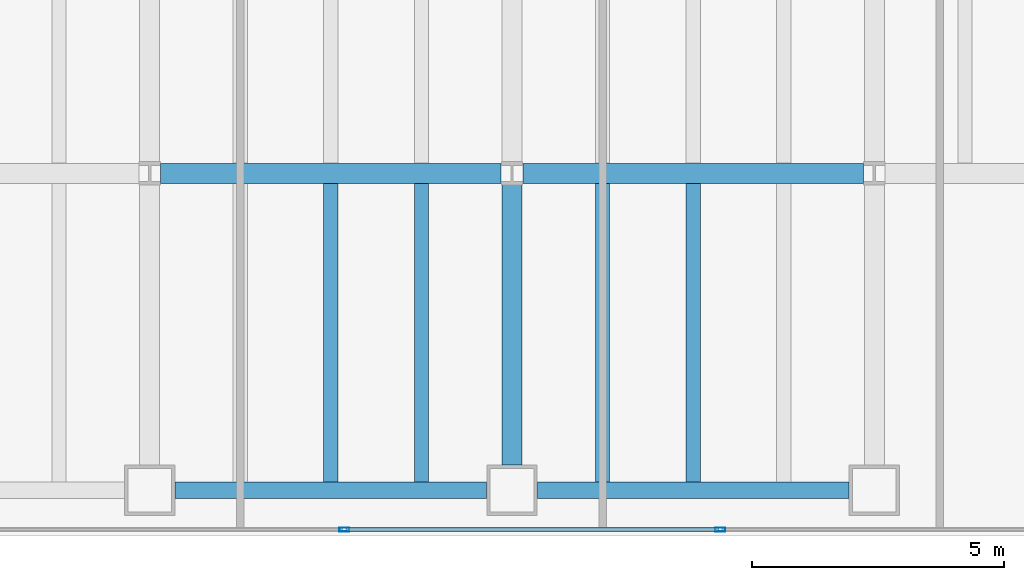
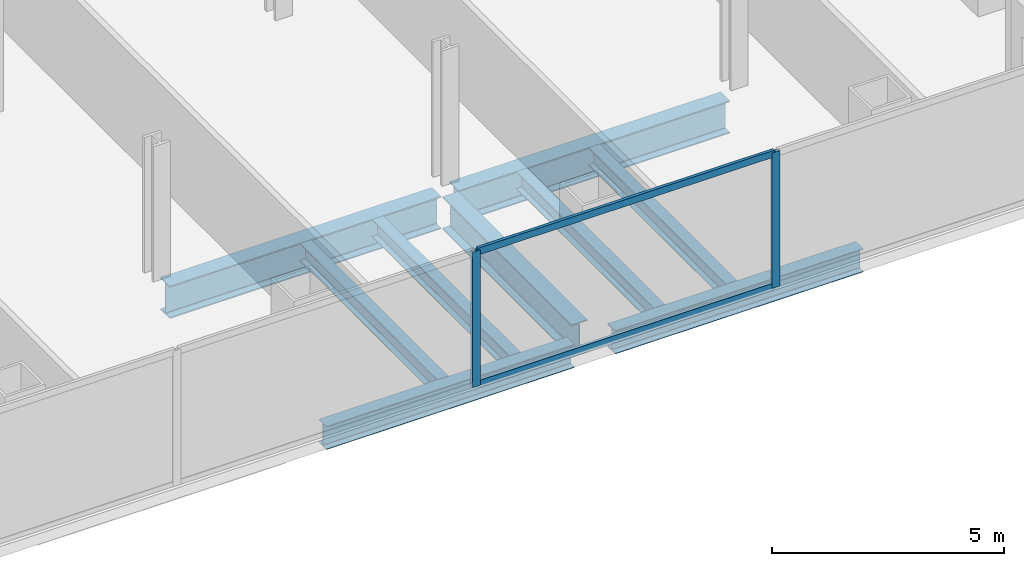
# One storey, part 7 of 23: 9 beams, 4 members, 1 element without a shape of its own.
"""IFC4 building model written with IfcOpenShell, lengths in metres."""

from ifc_helpers import new_model, si_unit, direction, frame, origin, origin_2d, place, context, subcontext, project, spatial, hollow_rectangle, i_section, extrude, material, material_profile, profile_set, type_object, element, aggregate, save


model = new_model("IFC4")

# Units and contexts
model_context = context("Model", 3, precision=1e-05, world=origin(), true_north=direction((0.0, 1.0)))
body_context = subcontext(model_context, "Body", "Model", "MODEL_VIEW")
ifc_project = project(units=[si_unit("LENGTHUNIT", "METRE"), si_unit("AREAUNIT", "SQUARE_METRE"), si_unit("VOLUMEUNIT", "CUBIC_METRE"), si_unit("PLANEANGLEUNIT", "RADIAN"), si_unit("MASSUNIT", "GRAM", prefix="KILO")], contexts=[model_context])

# Site, building, storey
site_placement = place(None, origin())
site = spatial("IfcSite", under=ifc_project, at=site_placement, CompositionType="ELEMENT")
building_placement = place(site_placement, origin())
building = spatial("IfcBuilding", under=site, at=building_placement, Name="Cobrela Telecom Tower", CompositionType="ELEMENT")
storey_placement = place(building_placement, frame((0.0, 0.0, 50.39990234375)))
storey = spatial("IfcBuildingStorey", under=building, at=storey_placement, Name="L12", CompositionType="ELEMENT", Elevation=50.39990234375)

# Beams
ifc_material_1 = material(Name="Steel ASTM A992 Grade 50", Category="steel")
ifc_material_profile_1 = material_profile(ifc_material_1, i_section(OverallWidth=0.39892578125, OverallDepth=0.85595703125, WebThickness=0.018310546875, FlangeThickness=0.029296875, FilletRadius=0.02001953125, at=origin_2d()), Name="W33X201")
ifc_profile_set_1 = profile_set([ifc_material_profile_1], Name="Steel ASTM A992 Grade 50")
beam_type_1 = type_object("IfcBeamType", Name="BM-GIRD-03", PredefinedType="USERDEFINED", material=ifc_profile_set_1)
for number, where, z_axis, x_axis, name in (
    (1, (29.01611328125, 7.199951171875, -0.7080078125), (1.0, 0.0, 0.0), (0.0, 1.0, 0.0), "L12 Primary Girder X10"),
    (2, (36.216064453125, 7.199951171875, -0.7080078125), (1.0, 0.0, 0.0), (0.0, 1.0, 0.0), "L12 Primary Girder X11"),
):
    element("IfcBeam", number, at=place(storey_placement, frame(where, z_axis=z_axis, x_axis=x_axis)), inside=storey, type_object=beam_type_1, Name=name, ObjectType="GIRDER", PredefinedType="USERDEFINED", context=body_context, shape_type="SweptSolid", body=[
        extrude(i_section(OverallWidth=0.39892578125, OverallDepth=0.85595703125, WebThickness=0.018310546875, FlangeThickness=0.029296875, FilletRadius=0.02001953125, at=origin_2d()), origin(), (0.0, 0.0, 1.0), 6.767822265625),
    ])
beam_placement = place(storey_placement, frame((36.0, 1.405029296875, -0.7080078125), z_axis=(0.0, 1.0, 0.0), x_axis=(-1.0, 0.0, 0.0)))
element("IfcBeam", 3, at=beam_placement, inside=storey, type_object=beam_type_1, Name="L12 Primary Girder Y50", ObjectType="GIRDER", PredefinedType="USERDEFINED", context=body_context, shape_type="SweptSolid", body=[
    extrude(i_section(OverallWidth=0.39892578125, OverallDepth=0.85595703125, WebThickness=0.018310546875, FlangeThickness=0.029296875, FilletRadius=0.02001953125, at=origin_2d()), origin(), (0.0, 0.0, 1.0), 5.578857421875),
])
ifc_material_profile_2 = material_profile(ifc_material_1, i_section(OverallWidth=0.281982421875, OverallDepth=0.467041015625, WebThickness=0.01220703125, FlangeThickness=0.01953125, FilletRadius=0.012939453125, at=origin_2d()), Name="W18X86")
ifc_profile_set_2 = profile_set([ifc_material_profile_2], Name="Steel ASTM A992 Grade 50")
beam_type_2 = type_object("IfcBeamType", Name="BM-JOIST-02", PredefinedType="JOIST", material=ifc_profile_set_2)
for number, where, z_axis, x_axis, name in (
    (4, (32.39990234375, 1.0673828125, -0.513427734375), (0.0, 1.0, 0.0), (-1.0, 0.0, 0.0), "L12 Secondary Composite Floor Beam J44"),
    (5, (34.199951171875, 1.0673828125, -0.513427734375), (0.0, 1.0, 0.0), (-1.0, 0.0, 0.0), "L12 Secondary Composite Floor Beam J47"),
    (6, (37.800048828125, 1.0673828125, -0.513427734375), (0.0, 1.0, 0.0), (-1.0, 0.0, 0.0), "L12 Secondary Composite Floor Beam J50"),
    (7, (39.60009765625, 1.0673828125, -0.513427734375), (0.0, 1.0, 0.0), (-1.0, 0.0, 0.0), "L12 Secondary Composite Floor Beam J53"),
):
    element("IfcBeam", number, at=place(storey_placement, frame(where, z_axis=z_axis, x_axis=x_axis)), inside=storey, type_object=beam_type_2, Name=name, PredefinedType="JOIST", context=body_context, shape_type="SweptSolid", body=[
        extrude(i_section(OverallWidth=0.281982421875, OverallDepth=0.467041015625, WebThickness=0.01220703125, FlangeThickness=0.01953125, FilletRadius=0.012939453125, at=origin_2d()), origin(), (0.0, 0.0, 1.0), 5.92822265625),
    ])
ifc_material_profile_3 = material_profile(ifc_material_1, i_section(OverallWidth=0.324951171875, OverallDepth=0.612060546875, WebThickness=0.0126953125, FlangeThickness=0.01904296875, FilletRadius=0.014892578125, at=origin_2d()), Name="W24X104")
ifc_profile_set_3 = profile_set([ifc_material_profile_3], Name="Steel ASTM A992 Grade 50")
beam_type_3 = type_object("IfcBeamType", Name="BM-SPAND-02", PredefinedType="SPANDREL", material=ifc_profile_set_3)
for number, where, z_axis, x_axis, name in (
    (8, (29.304931640625, 0.89990234375, -0.5859375), (1.0, 0.0, 0.0), (0.0, 1.0, 0.0), "L12 Perimeter Spandrel X04"),
    (9, (36.5048828125, 0.89990234375, -0.5859375), (1.0, 0.0, 0.0), (0.0, 1.0, 0.0), "L12 Perimeter Spandrel X05"),
):
    element("IfcBeam", number, at=place(storey_placement, frame(where, z_axis=z_axis, x_axis=x_axis)), inside=storey, type_object=beam_type_3, Name=name, PredefinedType="SPANDREL", context=body_context, shape_type="SweptSolid", body=[
        extrude(i_section(OverallWidth=0.324951171875, OverallDepth=0.612060546875, WebThickness=0.0126953125, FlangeThickness=0.01904296875, FilletRadius=0.014892578125, at=origin_2d()), origin(), (0.0, 0.0, 1.0), 6.190185546875),
    ])

# Curtain wall, members
ifc_material_2 = material(Name="Anodized Bronze Aluminium 6063-T6", Category="aluminium")
curtain_wall_type = type_object("IfcCurtainWallType", Name="CW-SYS-DATA", PredefinedType="USERDEFINED", material=ifc_material_2)
curtain_wall_placement = place(storey_placement, origin())
curtain_wall = element("IfcCurtainWall", 10, at=curtain_wall_placement, inside=storey, type_object=curtain_wall_type, Name="L12 Unitised Bronze Curtain Wall 17", ObjectType="UNITISED CURTAIN WALL", PredefinedType="USERDEFINED")
ifc_material_profile_4 = material_profile(ifc_material_2, hollow_rectangle(XDim=0.080078125, YDim=0.199951171875, WallThickness=0.00390625, at=origin_2d()), Name="ALU 80x200x4")
ifc_profile_set_4 = profile_set([ifc_material_profile_4], Name="Anodized Bronze Aluminium 6063-T6")
member_type_1 = type_object("IfcMemberType", Name="CW-SYS-DATA-MUL", PredefinedType="MULLION", material=ifc_profile_set_4)
member_1_placement = place(storey_placement, frame((40.139892578125, 0.1201171875, 0.0), z_axis=(0.0, 0.0, 1.0), x_axis=(0.0, -1.0, 0.0)))
member_1 = element("IfcMember", 11, at=member_1_placement, type_object=member_type_1, Name="CW-DATA mullion 2", PredefinedType="MULLION", context=body_context, shape_type="SweptSolid", body=[
    extrude(hollow_rectangle(XDim=0.080078125, YDim=0.199951171875, WallThickness=0.00390625, at=origin_2d()), origin(), (0.0, 0.0, 1.0), 3.570068359375),
])
member_2_placement = place(storey_placement, frame((32.669921875, 0.1201171875, 0.0), z_axis=(0.0, 0.0, 1.0), x_axis=(0.0, -1.0, 0.0)))
member_2 = element("IfcMember", 12, at=member_2_placement, type_object=member_type_1, Name="CW-DATA mullion 3", PredefinedType="MULLION", context=body_context, shape_type="SweptSolid", body=[
    extrude(hollow_rectangle(XDim=0.080078125, YDim=0.199951171875, WallThickness=0.00390625, at=origin_2d()), origin(), (0.0, 0.0, 1.0), 3.570068359375),
])
ifc_material_profile_5 = material_profile(ifc_material_2, hollow_rectangle(XDim=0.074951171875, YDim=0.179931640625, WallThickness=0.00390625, at=origin_2d()), Name="ALU 75x180x4")
ifc_profile_set_5 = profile_set([ifc_material_profile_5], Name="Anodized Bronze Aluminium 6063-T6")
member_type_2 = type_object("IfcMemberType", Name="CW-SYS-DATA-TRN", PredefinedType="USERDEFINED", material=ifc_profile_set_5)
member_3_placement = place(storey_placement, frame((40.10009765625, 0.1201171875, 0.03759765625), z_axis=(-1.0, 0.0, 0.0), x_axis=(0.0, -1.0, 0.0)))
member_3 = element("IfcMember", 13, at=member_3_placement, type_object=member_type_2, Name="CW-DATA transom 2.1", ObjectType="TRANSOM", PredefinedType="USERDEFINED", context=body_context, shape_type="SweptSolid", body=[
    extrude(hollow_rectangle(XDim=0.074951171875, YDim=0.179931640625, WallThickness=0.00390625, at=origin_2d()), origin(), (0.0, 0.0, 1.0), 7.39013671875),
])
member_4_placement = place(storey_placement, frame((40.10009765625, 0.1201171875, 3.53271484375), z_axis=(-1.0, 0.0, 0.0), x_axis=(0.0, -1.0, 0.0)))
member_4 = element("IfcMember", 14, at=member_4_placement, type_object=member_type_2, Name="CW-DATA transom 2.2", ObjectType="TRANSOM", PredefinedType="USERDEFINED", context=body_context, shape_type="SweptSolid", body=[
    extrude(hollow_rectangle(XDim=0.074951171875, YDim=0.179931640625, WallThickness=0.00390625, at=origin_2d()), origin(), (0.0, 0.0, 1.0), 7.39013671875),
])
aggregate(curtain_wall, [member_1, member_2, member_3, member_4])

save(model, "model.ifc")
